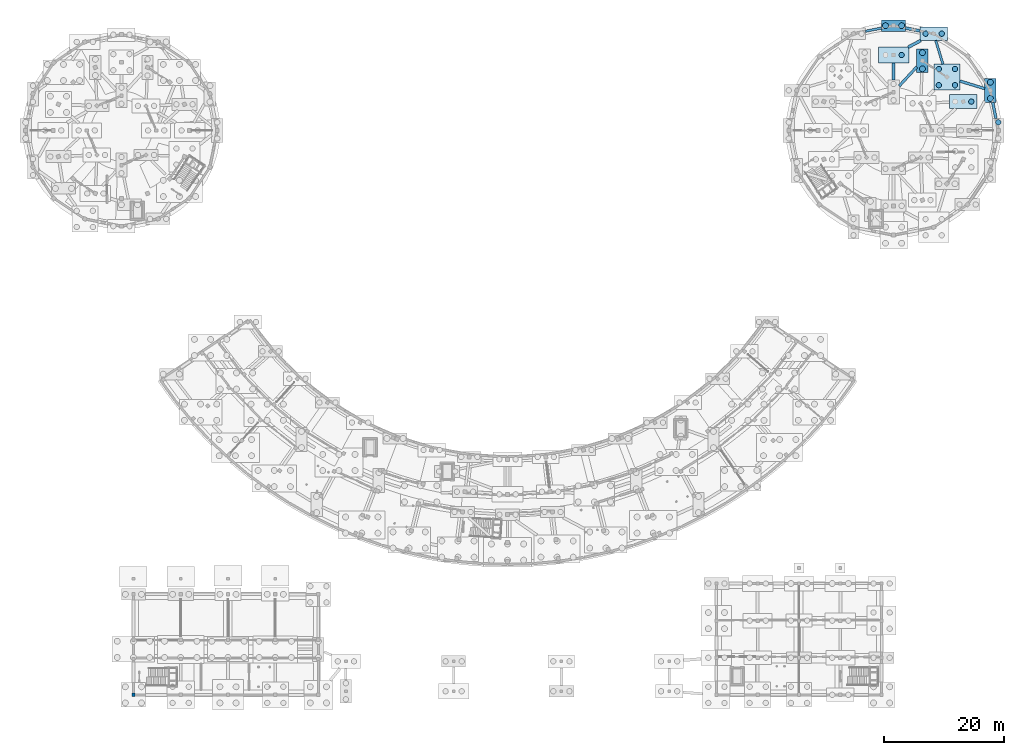
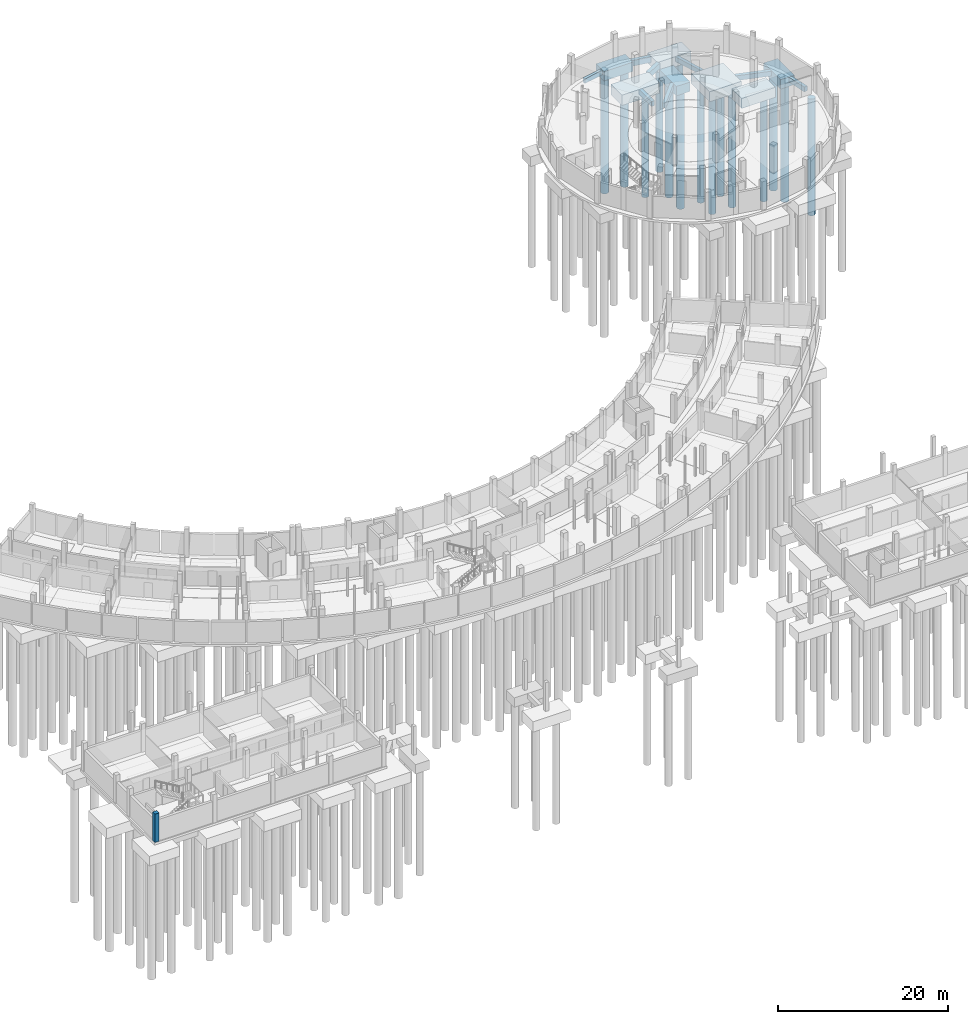
# One storey, part 8 of 58: 15 footings, 15 piles, 1 column.
"""IFC4 building model written with IfcOpenShell, lengths in metres."""

from ifc_helpers import new_model, si_unit, direction, frame, origin, origin_2d, place, context, subcontext, project, spatial, rectangle, circle, extrude, material, material_profile, profile_set, type_object, element, save


model = new_model("IFC4")

# Units and contexts
model_context = context("Model", 3, precision=1e-05, world=origin(), true_north=direction((0.0, 1.0)))
body_context = subcontext(model_context, "Body", "Model", "MODEL_VIEW")
ifc_project = project(units=[si_unit("LENGTHUNIT", "METRE"), si_unit("AREAUNIT", "SQUARE_METRE"), si_unit("VOLUMEUNIT", "CUBIC_METRE"), si_unit("PLANEANGLEUNIT", "RADIAN"), si_unit("MASSUNIT", "GRAM", prefix="KILO")], contexts=[model_context])

# Site, building, storey
site_placement = place(None, origin())
site = spatial("IfcSite", under=ifc_project, at=site_placement, CompositionType="ELEMENT")
building_placement = place(site_placement, origin())
building = spatial("IfcBuilding", under=site, at=building_placement, Name="Caldaven Crescent School", CompositionType="ELEMENT")
storey_placement = place(building_placement, frame((0.0, 0.0, -4.080078125)))
storey = spatial("IfcBuildingStorey", under=building, at=storey_placement, Name="B1", CompositionType="ELEMENT", Elevation=-4.080078125)

# Footings
ifc_material_1 = material(Name="Concrete C30/37", Category="concrete")
ifc_material_profile_1 = material_profile(ifc_material_1, rectangle(XDim=0.449951171875, YDim=0.699951171875, at=origin_2d()), Name="FB 450x700")
ifc_profile_set_1 = profile_set([ifc_material_profile_1], Name="Concrete C30/37")
footing_type_1 = type_object("IfcFootingType", Name="FTG-FB1", PredefinedType="FOOTING_BEAM", material=ifc_profile_set_1)
footing_1_placement = place(storey_placement, frame((169.602294921875, 100.5, -0.64990234375), z_axis=(-0.19514285117, 0.980774830243, 0.0), x_axis=(-0.980774830243, -0.19514285117, 0.0)))
element("IfcFooting", 1, at=footing_1_placement, inside=storey, type_object=footing_type_1, Name="FB-004", PredefinedType="FOOTING_BEAM", context=body_context, shape_type="SweptSolid", body=[
    extrude(rectangle(XDim=0.449951171875, YDim=0.699951171875, at=origin_2d()), origin(), (0.0, 0.0, 1.0), 2.75),
])
footing_2_placement = place(storey_placement, frame((167.718017578125, 105.486572265625, -0.64990234375), z_axis=(-0.956546524731, 0.291579742138, 0.0), x_axis=(-0.291579742138, -0.956546524731, 0.0)))
element("IfcFooting", 2, at=footing_2_placement, inside=storey, type_object=footing_type_1, Name="FB-007", PredefinedType="FOOTING_BEAM", context=body_context, shape_type="SweptSolid", body=[
    extrude(rectangle(XDim=0.449951171875, YDim=0.699951171875, at=origin_2d()), origin(), (0.0, 0.0, 1.0), 4.3212890625),
])
footing_3_placement = place(storey_placement, frame((156.371826171875, 109.1083984375, -0.64990234375), z_axis=(-0.677076140243, -0.735912970611, 0.0), x_axis=(0.735912970611, -0.677076140243, 0.0)))
element("IfcFooting", 3, at=footing_3_placement, inside=storey, type_object=footing_type_1, Name="FB-010", PredefinedType="FOOTING_BEAM", context=body_context, shape_type="SweptSolid", body=[
    extrude(rectangle(XDim=0.449951171875, YDim=0.699951171875, at=origin_2d()), origin(), (0.0, 0.0, 1.0), 4.3154296875),
])
footing_4_placement = place(storey_placement, frame((152.5, 106.89990234375, -0.64990234375), z_axis=(0.0, 1.0, 0.0), x_axis=(-1.0, 0.0, 0.0)))
element("IfcFooting", 4, at=footing_4_placement, inside=storey, type_object=footing_type_1, Name="FB-013", PredefinedType="FOOTING_BEAM", context=body_context, shape_type="SweptSolid", body=[
    extrude(rectangle(XDim=0.449951171875, YDim=0.699951171875, at=origin_2d()), origin(), (0.0, 0.0, 1.0), 2.900146484375),
])
ifc_material_profile_2 = material_profile(ifc_material_1, rectangle(XDim=0.5, YDim=0.800048828125, at=origin_2d()), Name="FB 500x800")
ifc_profile_set_2 = profile_set([ifc_material_profile_2], Name="Concrete C30/37")
footing_type_2 = type_object("IfcFootingType", Name="FTG-FB2", PredefinedType="FOOTING_BEAM", material=ifc_profile_set_2)
footing_5_placement = place(storey_placement, frame((156.89697265625, 115.12548828125, -0.699951171875), z_axis=(-0.980783782246, 0.195097853608, 0.0), x_axis=(-0.195097853608, -0.980783782246, 0.0)))
element("IfcFooting", 5, at=footing_5_placement, inside=storey, type_object=footing_type_2, Name="FB-011", PredefinedType="FOOTING_BEAM", context=body_context, shape_type="SweptSolid", body=[
    extrude(rectangle(XDim=0.5, YDim=0.800048828125, at=origin_2d()), origin(), (0.0, 0.0, 1.0), 2.44384765625),
])
footing_6_placement = place(storey_placement, frame((154.940185546875, 112.39990234375, -0.699951171875), z_axis=(0.882543330599, 0.470231081081, 0.0), x_axis=(-0.470231081081, 0.882543330599, 0.0)))
element("IfcFooting", 6, at=footing_6_placement, inside=storey, type_object=footing_type_2, Name="FB-014", PredefinedType="FOOTING_BEAM", context=body_context, shape_type="SweptSolid", body=[
    extrude(rectangle(XDim=0.5, YDim=0.800048828125, at=origin_2d()), origin(), (0.0, 0.0, 1.0), 2.37744140625),
])
ifc_material_profile_3 = material_profile(ifc_material_1, rectangle(XDim=0.39990234375, YDim=0.64990234375, at=origin_2d()), Name="FB 400x650")
ifc_profile_set_3 = profile_set([ifc_material_profile_3], Name="Concrete C30/37")
footing_type_3 = type_object("IfcFootingType", Name="FTG-FB3", PredefinedType="FOOTING_BEAM", material=ifc_profile_set_3)
footing_7_placement = place(storey_placement, frame((159.547607421875, 113.517822265625, -0.625), z_axis=(0.29157739987, -0.956547238711, 0.0), x_axis=(0.956547238711, 0.29157739987, 0.0)))
element("IfcFooting", 7, at=footing_7_placement, inside=storey, type_object=footing_type_3, Name="FB-012", PredefinedType="FOOTING_BEAM", context=body_context, shape_type="SweptSolid", body=[
    extrude(rectangle(XDim=0.39990234375, YDim=0.64990234375, at=origin_2d()), origin(), (0.0, 0.0, 1.0), 4.112060546875),
])
footing_8_placement = place(storey_placement, frame((150.5, 115.602294921875, -0.625), z_axis=(-0.980774830243, -0.19514285117, 0.0), x_axis=(0.19514285117, -0.980774830243, 0.0)))
element("IfcFooting", 8, at=footing_8_placement, inside=storey, type_object=footing_type_3, Name="FB-015", PredefinedType="FOOTING_BEAM", context=body_context, shape_type="SweptSolid", body=[
    extrude(rectangle(XDim=0.39990234375, YDim=0.64990234375, at=origin_2d()), origin(), (0.0, 0.0, 1.0), 2.75),
])
ifc_material_2 = material(Name="Concrete C35/45", Category="concrete")
footing_type_4 = type_object("IfcFootingType", Name="FTG-PC01", PredefinedType="PILE_CAP", material=ifc_material_2)
for number, where, z_axis, x_axis, name in (
    (9, (168.66796875, 105.197021484375, -1.64990234375), (0.0, 0.0, 1.0), (0.0, 1.0, 0.0), "PC-005"),
    (10, (157.32177734375, 110.140869140625, -1.64990234375), (0.0, 0.0, 1.0), (0.0, 1.0, 0.0), "PC-009"),
    (11, (152.5, 116.0, -1.64990234375), (0.0, 0.0, 1.0), (1.0, 0.0, 0.0), "PC-013"),
):
    element("IfcFooting", number, at=place(storey_placement, frame(where, z_axis=z_axis, x_axis=x_axis)), inside=storey, type_object=footing_type_4, Name=name, PredefinedType="PILE_CAP", context=body_context, shape_type="SweptSolid", body=[
        extrude(rectangle(XDim=4.0, YDim=1.89990234375, at=origin_2d()), origin(), (0.0, 0.0, 1.0), 1.35009765625),
    ])
footing_type_5 = type_object("IfcFootingType", Name="FTG-PC04", PredefinedType="PILE_CAP", material=ifc_material_2)
for number, where, z_axis, x_axis, name in (
    (12, (164.140869140625, 103.32177734375, -1.75), (0.0, 0.0, 1.0), (1.0, 0.0, 0.0), "PC-004"),
    (13, (159.197021484375, 114.66796875, -1.75), (0.0, 0.0, 1.0), (1.0, 0.0, 0.0), "PC-010"),
):
    element("IfcFooting", number, at=place(storey_placement, frame(where, z_axis=z_axis, x_axis=x_axis)), inside=storey, type_object=footing_type_5, Name=name, PredefinedType="PILE_CAP", context=body_context, shape_type="SweptSolid", body=[
        extrude(rectangle(XDim=4.60009765625, YDim=2.300048828125, at=origin_2d()), origin(), (0.0, 0.0, 1.0), 1.449951171875),
    ])
footing_type_6 = type_object("IfcFootingType", Name="FTG-PC06", PredefinedType="PILE_CAP", material=ifc_material_2)
footing_9_placement = place(storey_placement, frame((152.5, 111.10009765625, -1.7998046875), z_axis=(0.0, 0.0, 1.0), x_axis=(1.0, 0.0, 0.0)))
element("IfcFooting", 14, at=footing_9_placement, inside=storey, type_object=footing_type_6, Name="PC-012", PredefinedType="PILE_CAP", context=body_context, shape_type="SweptSolid", body=[
    extrude(rectangle(XDim=5.10009765625, YDim=2.60009765625, at=origin_2d()), origin(), (0.0, 0.0, 1.0), 1.5),
])
footing_type_7 = type_object("IfcFootingType", Name="FTG-PC08", PredefinedType="PILE_CAP", material=ifc_material_2)
footing_10_placement = place(storey_placement, frame((161.409423828125, 107.409423828125, -1.75), z_axis=(0.0, 0.0, 1.0), x_axis=(1.0, 0.0, 0.0)))
element("IfcFooting", 15, at=footing_10_placement, inside=storey, type_object=footing_type_7, Name="PC-007", PredefinedType="PILE_CAP", context=body_context, shape_type="SweptSolid", body=[
    extrude(rectangle(XDim=4.35009765625, YDim=4.35009765625, at=origin_2d()), origin(), (0.0, 0.0, 1.0), 1.449951171875),
])

# Piles
ifc_material_profile_4 = material_profile(ifc_material_2, circle(Radius=0.5, at=origin_2d()), Name="PILE D1000")
ifc_profile_set_4 = profile_set([ifc_material_profile_4], Name="Concrete C35/45")
pile_type_1 = type_object("IfcPileType", Name="PIL-D1000", PredefinedType="BORED", material=ifc_profile_set_4)
for number, where, z_axis, x_axis, name in (
    (16, (168.66796875, 103.846923828125, -1.5498046875), (0.0, 0.0, -1.0), (1.0, 0.0, 0.0), "PILE-005-1"),
    (17, (168.66796875, 106.547119140625, -1.5498046875), (0.0, 0.0, -1.0), (1.0, 0.0, 0.0), "PILE-005-2"),
    (18, (157.32177734375, 108.791015625, -1.5498046875), (0.0, 0.0, -1.0), (1.0, 0.0, 0.0), "PILE-009-1"),
    (19, (157.32177734375, 111.490966796875, -1.5498046875), (0.0, 0.0, -1.0), (1.0, 0.0, 0.0), "PILE-009-2"),
    (20, (151.14990234375, 116.0, -1.5498046875), (0.0, 0.0, -1.0), (1.0, 0.0, 0.0), "PILE-013-1"),
    (21, (153.85009765625, 116.0, -1.5498046875), (0.0, 0.0, -1.0), (1.0, 0.0, 0.0), "PILE-013-2"),
):
    element("IfcPile", number, at=place(storey_placement, frame(where, z_axis=z_axis, x_axis=x_axis)), inside=storey, type_object=pile_type_1, Name=name, PredefinedType="BORED", context=body_context, shape_type="SweptSolid", body=[
        extrude(circle(Radius=0.5, at=origin_2d()), origin(), (0.0, 0.0, 1.0), 16.800048828125),
    ])
ifc_material_profile_5 = material_profile(ifc_material_2, circle(Radius=0.449951171875, at=origin_2d()), Name="PILE D900")
ifc_profile_set_5 = profile_set([ifc_material_profile_5], Name="Concrete C35/45")
pile_type_2 = type_object("IfcPileType", Name="PIL-D900", PredefinedType="BORED", material=ifc_profile_set_5)
pile_1_placement = place(storey_placement, frame((170.0, 99.85009765625, -1.5498046875), z_axis=(0.0, 0.0, -1.0), x_axis=(1.0, 0.0, 0.0)))
element("IfcPile", 22, at=pile_1_placement, inside=storey, type_object=pile_type_2, Name="PILE-003-2", PredefinedType="BORED", context=body_context, shape_type="SweptSolid", body=[
    extrude(circle(Radius=0.449951171875, at=origin_2d()), origin(), (0.0, 0.0, 1.0), 16.800048828125),
])
pile_2_placement = place(storey_placement, frame((165.490966796875, 103.32177734375, -1.64990234375), z_axis=(0.0, 0.0, -1.0), x_axis=(1.0, 0.0, 0.0)))
element("IfcPile", 23, at=pile_2_placement, inside=storey, type_object=pile_type_2, Name="PILE-004-2", PredefinedType="BORED", context=body_context, shape_type="SweptSolid", body=[
    extrude(circle(Radius=0.449951171875, at=origin_2d()), origin(), (0.0, 0.0, 1.0), 15.199951171875),
])
for number, where, z_axis, x_axis, name in (
    (24, (160.0595703125, 106.0595703125, -1.64990234375), (0.0, 0.0, -1.0), (1.0, 0.0, 0.0), "PILE-007-1"),
    (25, (162.759521484375, 106.0595703125, -1.64990234375), (0.0, 0.0, -1.0), (1.0, 0.0, 0.0), "PILE-007-2"),
    (26, (160.0595703125, 108.759521484375, -1.64990234375), (0.0, 0.0, -1.0), (1.0, 0.0, 0.0), "PILE-007-3"),
    (27, (162.759521484375, 108.759521484375, -1.64990234375), (0.0, 0.0, -1.0), (1.0, 0.0, 0.0), "PILE-007-4"),
):
    element("IfcPile", number, at=place(storey_placement, frame(where, z_axis=z_axis, x_axis=x_axis)), inside=storey, type_object=pile_type_2, Name=name, PredefinedType="BORED", context=body_context, shape_type="SweptSolid", body=[
        extrude(circle(Radius=0.449951171875, at=origin_2d()), origin(), (0.0, 0.0, 1.0), 16.800048828125),
    ])
for number, where, z_axis, x_axis, name in (
    (28, (157.846923828125, 114.66796875, -1.64990234375), (0.0, 0.0, -1.0), (1.0, 0.0, 0.0), "PILE-010-1"),
    (29, (160.547119140625, 114.66796875, -1.64990234375), (0.0, 0.0, -1.0), (1.0, 0.0, 0.0), "PILE-010-2"),
    (30, (153.85009765625, 111.10009765625, -1.699951171875), (0.0, 0.0, -1.0), (1.0, 0.0, 0.0), "PILE-012-2"),
):
    element("IfcPile", number, at=place(storey_placement, frame(where, z_axis=z_axis, x_axis=x_axis)), inside=storey, type_object=pile_type_2, Name=name, PredefinedType="BORED", context=body_context, shape_type="SweptSolid", body=[
        extrude(circle(Radius=0.449951171875, at=origin_2d()), origin(), (0.0, 0.0, 1.0), 15.199951171875),
    ])

# Column
ifc_material_profile_6 = material_profile(ifc_material_2, rectangle(XDim=0.550048828125, YDim=0.550048828125, at=origin_2d()), Name="RC 550x550")
ifc_profile_set_6 = profile_set([ifc_material_profile_6], Name="Concrete C35/45")
column_type = type_object("IfcColumnType", Name="COL-RC55", PredefinedType="COLUMN", material=ifc_profile_set_6)
column_placement = place(storey_placement, frame((25.5, 4.199951171875, 0.0), z_axis=(0.0, 0.0, 1.0), x_axis=(1.0, 0.0, 0.0)))
element("IfcColumn", 31, at=column_placement, inside=storey, type_object=column_type, Name="COL-V4S-B1-0-0", PredefinedType="COLUMN", context=body_context, shape_type="SweptSolid", body=[
    extrude(rectangle(XDim=0.550048828125, YDim=0.550048828125, at=origin_2d()), origin(), (0.0, 0.0, 1.0), 4.080078125),
])

save(model, "model.ifc")
